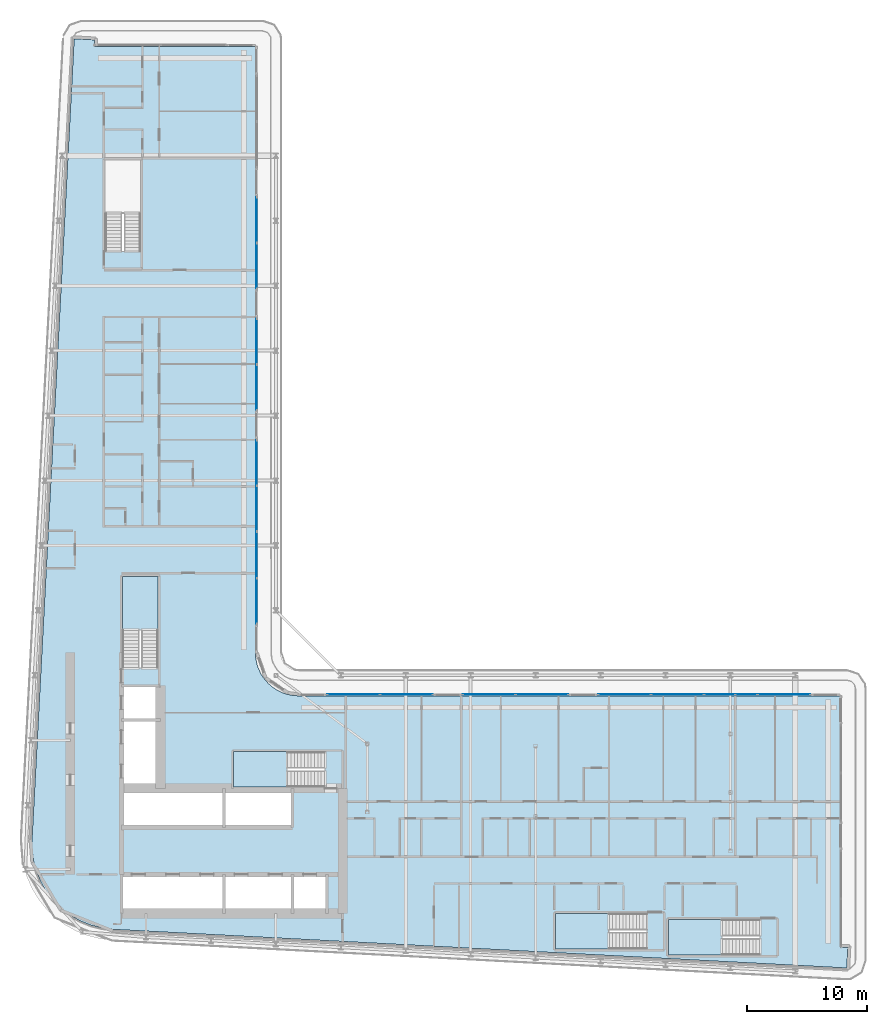
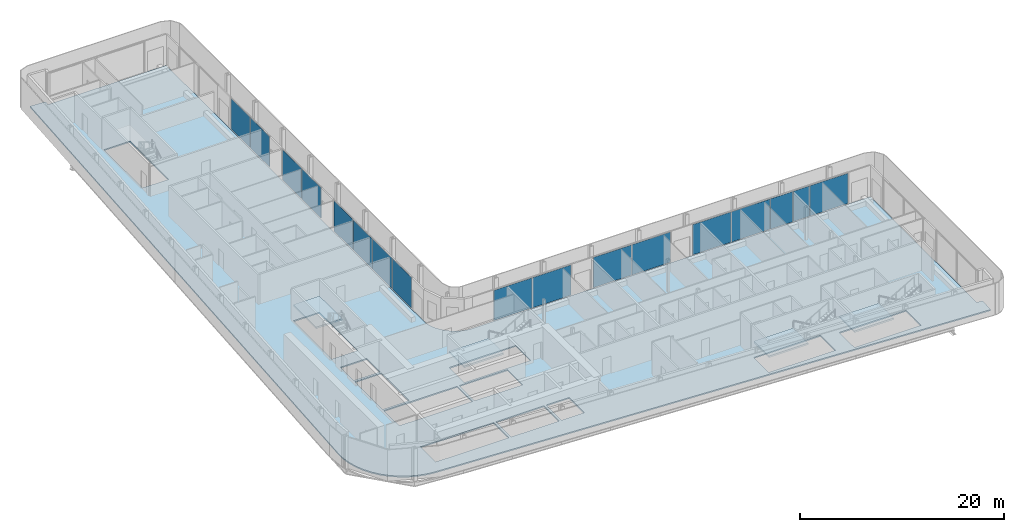
# One storey, part 12 of 29: 17 plates, 5 slabs, 12 elements without a shape of their own.
"""IFC4 building model written with IfcOpenShell, lengths in metres."""

from ifc_helpers import new_model, si_unit, direction, frame, origin, origin_2d, place, context, subcontext, project, spatial, polyline, rectangle, outline, extrude, material, layer, layer_set, type_object, element, aggregate, save


model = new_model("IFC4")

# Units and contexts
model_context = context("Model", 3, precision=1e-05, world=origin(), true_north=direction((0.0, 1.0)))
body_context = subcontext(model_context, "Body", "Model", "MODEL_VIEW")
ifc_project = project(units=[si_unit("LENGTHUNIT", "METRE"), si_unit("AREAUNIT", "SQUARE_METRE"), si_unit("VOLUMEUNIT", "CUBIC_METRE"), si_unit("PLANEANGLEUNIT", "RADIAN"), si_unit("MASSUNIT", "GRAM", prefix="KILO")], contexts=[model_context])

# Site, building, storey
site_placement = place(None, origin())
site = spatial("IfcSite", under=ifc_project, at=site_placement, CompositionType="ELEMENT")
building_placement = place(site_placement, origin())
building = spatial("IfcBuilding", under=site, at=building_placement, Name="Kheshtan School and Residences Tower", CompositionType="ELEMENT")
storey_placement = place(building_placement, frame((0.0, 0.0, 172.10009765625)))
storey = spatial("IfcBuildingStorey", under=building, at=storey_placement, Name="L40", CompositionType="ELEMENT", Elevation=172.10009765625)

# Curtain wall, plates
ifc_material_1 = material(Name="Clear low-e glass in thermally broken aluminium frame", Category="aluminium")
ifc_layer_1 = layer(ifc_material_1, 0.199951171875)
ifc_layer_set_1 = layer_set([ifc_layer_1], Name="Curtain wall CW-L")
curtain_wall_type = type_object("IfcCurtainWallType", Name="Curtain wall CW-L", PredefinedType="NOTDEFINED", material=ifc_layer_set_1)
curtain_wall_1_placement = place(storey_placement, origin())
curtain_wall_1 = element("IfcCurtainWall", 1, at=curtain_wall_1_placement, inside=storey, type_object=curtain_wall_type, Name="Curtain wall CWL8", PredefinedType="NOTDEFINED")
ifc_layer_2 = layer(ifc_material_1, 0.031982421875)
ifc_layer_set_2 = layer_set([ifc_layer_2], Name="CW-L glass panel")
plate_type = type_object("IfcPlateType", Name="CW-L glass panel", PredefinedType="CURTAIN_PANEL", material=ifc_layer_set_2)
plate_1_placement = place(storey_placement, frame((46.0, 83.467529296875, 0.0), z_axis=(0.0, 0.0, 1.0), x_axis=(0.0, -1.0, 0.0)))
plate_1 = element("IfcPlate", 2, at=plate_1_placement, type_object=plate_type, Name="CWL8 panel 1.1", PredefinedType="CURTAIN_PANEL", context=body_context, shape_type="SweptSolid", body=[
    extrude(rectangle(XDim=3.757080078125, YDim=0.031982421875, at=origin_2d()), origin(), (0.0, 0.0, 1.0), 3.6298828125),
])
plate_2_placement = place(storey_placement, frame((46.0, 79.650390625, 0.0), z_axis=(0.0, 0.0, 1.0), x_axis=(0.0, -1.0, 0.0)))
plate_2 = element("IfcPlate", 3, at=plate_2_placement, type_object=plate_type, Name="CWL8 panel 2.1", PredefinedType="CURTAIN_PANEL", context=body_context, shape_type="SweptSolid", body=[
    extrude(rectangle(XDim=3.757080078125, YDim=0.031982421875, at=origin_2d()), origin(), (0.0, 0.0, 1.0), 3.6298828125),
])
aggregate(curtain_wall_1, [plate_1, plate_2])

curtain_wall_2_placement = place(storey_placement, origin())
curtain_wall_2 = element("IfcCurtainWall", 4, at=curtain_wall_2_placement, inside=storey, type_object=curtain_wall_type, Name="Curtain wall CWL8", PredefinedType="NOTDEFINED")
plate_3_placement = place(storey_placement, frame((46.0, 73.37353515625, 0.0), z_axis=(0.0, 0.0, 1.0), x_axis=(0.0, -1.0, 0.0)))
plate_3 = element("IfcPlate", 5, at=plate_3_placement, type_object=plate_type, Name="CWL8 panel 1.1", PredefinedType="CURTAIN_PANEL", context=body_context, shape_type="SweptSolid", body=[
    extrude(rectangle(XDim=3.757080078125, YDim=0.031982421875, at=origin_2d()), origin(), (0.0, 0.0, 1.0), 3.6298828125),
])
plate_4_placement = place(storey_placement, frame((46.0, 69.556396484375, 0.0), z_axis=(0.0, 0.0, 1.0), x_axis=(0.0, -1.0, 0.0)))
plate_4 = element("IfcPlate", 6, at=plate_4_placement, type_object=plate_type, Name="CWL8 panel 2.1", PredefinedType="CURTAIN_PANEL", context=body_context, shape_type="SweptSolid", body=[
    extrude(rectangle(XDim=3.757080078125, YDim=0.031982421875, at=origin_2d()), origin(), (0.0, 0.0, 1.0), 3.6298828125),
])
aggregate(curtain_wall_2, [plate_3, plate_4])

curtain_wall_3_placement = place(storey_placement, origin())
curtain_wall_3 = element("IfcCurtainWall", 7, at=curtain_wall_3_placement, inside=storey, type_object=curtain_wall_type, Name="Curtain wall CWL8", PredefinedType="NOTDEFINED")
plate_5_placement = place(storey_placement, frame((46.0, 63.279541015625, 0.0), z_axis=(0.0, 0.0, 1.0), x_axis=(0.0, -1.0, 0.0)))
plate_5 = element("IfcPlate", 8, at=plate_5_placement, type_object=plate_type, Name="CWL8 panel 1.1", PredefinedType="CURTAIN_PANEL", context=body_context, shape_type="SweptSolid", body=[
    extrude(rectangle(XDim=3.757080078125, YDim=0.031982421875, at=origin_2d()), origin(), (0.0, 0.0, 1.0), 3.6298828125),
])
plate_6_placement = place(storey_placement, frame((46.0, 59.46240234375, 0.0), z_axis=(0.0, 0.0, 1.0), x_axis=(0.0, -1.0, 0.0)))
plate_6 = element("IfcPlate", 9, at=plate_6_placement, type_object=plate_type, Name="CWL8 panel 2.1", PredefinedType="CURTAIN_PANEL", context=body_context, shape_type="SweptSolid", body=[
    extrude(rectangle(XDim=3.757080078125, YDim=0.031982421875, at=origin_2d()), origin(), (0.0, 0.0, 1.0), 3.6298828125),
])
aggregate(curtain_wall_3, [plate_5, plate_6])

curtain_wall_4_placement = place(storey_placement, origin())
curtain_wall_4 = element("IfcCurtainWall", 10, at=curtain_wall_4_placement, inside=storey, type_object=curtain_wall_type, Name="Curtain wall CWL8", PredefinedType="NOTDEFINED")
plate_7_placement = place(storey_placement, frame((46.0, 55.615478515625, 0.0), z_axis=(0.0, 0.0, 1.0), x_axis=(0.0, -1.0, 0.0)))
plate_7 = element("IfcPlate", 11, at=plate_7_placement, type_object=plate_type, Name="CWL8 panel 1.1", PredefinedType="CURTAIN_PANEL", context=body_context, shape_type="SweptSolid", body=[
    extrude(rectangle(XDim=3.81689453125, YDim=0.031982421875, at=origin_2d()), origin(), (0.0, 0.0, 1.0), 3.6298828125),
])
plate_8_placement = place(storey_placement, frame((46.0, 51.7685546875, 0.0), z_axis=(0.0, 0.0, 1.0), x_axis=(0.0, -1.0, 0.0)))
plate_8 = element("IfcPlate", 12, at=plate_8_placement, type_object=plate_type, Name="CWL8 panel 2.1", PredefinedType="CURTAIN_PANEL", context=body_context, shape_type="SweptSolid", body=[
    extrude(rectangle(XDim=3.757080078125, YDim=0.031982421875, at=origin_2d()), origin(), (0.0, 0.0, 1.0), 3.6298828125),
])
aggregate(curtain_wall_4, [plate_7, plate_8])

curtain_wall_5_placement = place(storey_placement, origin())
curtain_wall_5 = element("IfcCurtainWall", 13, at=curtain_wall_5_placement, inside=storey, type_object=curtain_wall_type, Name="Curtain wall CWL12f", PredefinedType="NOTDEFINED")
plate_9_placement = place(storey_placement, frame((54.061767578125, 44.0, 0.0), z_axis=(0.0, 0.0, 1.0), x_axis=(1.0, 0.0, 0.0)))
plate_9 = element("IfcPlate", 14, at=plate_9_placement, type_object=plate_type, Name="CWL12f panel 1.1", PredefinedType="CURTAIN_PANEL", context=body_context, shape_type="SweptSolid", body=[
    extrude(rectangle(XDim=4.34375, YDim=0.031982421875, at=origin_2d()), origin(), (0.0, 0.0, 1.0), 3.6298828125),
])
plate_10_placement = place(storey_placement, frame((58.465576171875, 44.0, 0.0), z_axis=(0.0, 0.0, 1.0), x_axis=(1.0, 0.0, 0.0)))
plate_10 = element("IfcPlate", 15, at=plate_10_placement, type_object=plate_type, Name="CWL12f panel 2.1", PredefinedType="CURTAIN_PANEL", context=body_context, shape_type="SweptSolid", body=[
    extrude(rectangle(XDim=4.34375, YDim=0.031982421875, at=origin_2d()), origin(), (0.0, 0.0, 1.0), 3.6298828125),
])
aggregate(curtain_wall_5, [plate_9, plate_10])

curtain_wall_6_placement = place(storey_placement, origin())
curtain_wall_6 = element("IfcCurtainWall", 16, at=curtain_wall_6_placement, inside=storey, type_object=curtain_wall_type, Name="Curtain wall CWL12f", PredefinedType="NOTDEFINED")
plate_11_placement = place(storey_placement, frame((65.329345703125, 44.0, 0.0), z_axis=(0.0, 0.0, 1.0), x_axis=(1.0, 0.0, 0.0)))
plate_11 = element("IfcPlate", 17, at=plate_11_placement, type_object=plate_type, Name="CWL12f panel 1.1", PredefinedType="CURTAIN_PANEL", context=body_context, shape_type="SweptSolid", body=[
    extrude(rectangle(XDim=4.34375, YDim=0.031982421875, at=origin_2d()), origin(), (0.0, 0.0, 1.0), 3.6298828125),
])
plate_12_placement = place(storey_placement, frame((69.733154296875, 44.0, 0.0), z_axis=(0.0, 0.0, 1.0), x_axis=(1.0, 0.0, 0.0)))
plate_12 = element("IfcPlate", 18, at=plate_12_placement, type_object=plate_type, Name="CWL12f panel 2.1", PredefinedType="CURTAIN_PANEL", context=body_context, shape_type="SweptSolid", body=[
    extrude(rectangle(XDim=4.34375, YDim=0.031982421875, at=origin_2d()), origin(), (0.0, 0.0, 1.0), 3.6298828125),
])
aggregate(curtain_wall_6, [plate_11, plate_12])

curtain_wall_7_placement = place(storey_placement, origin())
curtain_wall_7 = element("IfcCurtainWall", 19, at=curtain_wall_7_placement, inside=storey, type_object=curtain_wall_type, Name="Curtain wall CWL12f", PredefinedType="NOTDEFINED")
plate_13_placement = place(storey_placement, frame((76.596923828125, 44.0, 0.0), z_axis=(0.0, 0.0, 1.0), x_axis=(1.0, 0.0, 0.0)))
plate_13 = element("IfcPlate", 20, at=plate_13_placement, type_object=plate_type, Name="CWL12f panel 1.1", PredefinedType="CURTAIN_PANEL", context=body_context, shape_type="SweptSolid", body=[
    extrude(rectangle(XDim=4.34375, YDim=0.031982421875, at=origin_2d()), origin(), (0.0, 0.0, 1.0), 3.6298828125),
])
plate_14_placement = place(storey_placement, frame((81.000732421875, 44.0, 0.0), z_axis=(0.0, 0.0, 1.0), x_axis=(1.0, 0.0, 0.0)))
plate_14 = element("IfcPlate", 21, at=plate_14_placement, type_object=plate_type, Name="CWL12f panel 2.1", PredefinedType="CURTAIN_PANEL", context=body_context, shape_type="SweptSolid", body=[
    extrude(rectangle(XDim=4.34375, YDim=0.031982421875, at=origin_2d()), origin(), (0.0, 0.0, 1.0), 3.6298828125),
])
aggregate(curtain_wall_7, [plate_13, plate_14])

curtain_wall_8_placement = place(storey_placement, origin())
curtain_wall_8 = element("IfcCurtainWall", 22, at=curtain_wall_8_placement, inside=storey, type_object=curtain_wall_type, Name="Curtain wall CWL12y", PredefinedType="NOTDEFINED")
plate_15_placement = place(storey_placement, frame((84.501220703125, 44.0, 0.0), z_axis=(0.0, 0.0, 1.0), x_axis=(1.0, 0.0, 0.0)))
plate_15 = element("IfcPlate", 23, at=plate_15_placement, type_object=plate_type, Name="CWL12y panel 1.1", PredefinedType="CURTAIN_PANEL", context=body_context, shape_type="SweptSolid", body=[
    extrude(rectangle(XDim=2.53759765625, YDim=0.031982421875, at=origin_2d()), origin(), (0.0, 0.0, 1.0), 3.6298828125),
])
plate_16_placement = place(storey_placement, frame((86.733154296875, 44.0, 0.0), z_axis=(0.0, 0.0, 1.0), x_axis=(1.0, 0.0, 0.0)))
plate_16 = element("IfcPlate", 24, at=plate_16_placement, type_object=plate_type, Name="CWL12y panel 2.1", PredefinedType="CURTAIN_PANEL", context=body_context, shape_type="SweptSolid", body=[
    extrude(rectangle(XDim=1.80615234375, YDim=0.031982421875, at=origin_2d()), origin(), (0.0, 0.0, 1.0), 3.6298828125),
])
plate_17_placement = place(storey_placement, frame((89.8681640625, 44.0, 0.0), z_axis=(0.0, 0.0, 1.0), x_axis=(1.0, 0.0, 0.0)))
plate_17 = element("IfcPlate", 25, at=plate_17_placement, type_object=plate_type, Name="CWL12y panel 3.1", PredefinedType="CURTAIN_PANEL", context=body_context, shape_type="SweptSolid", body=[
    extrude(rectangle(XDim=4.34375, YDim=0.031982421875, at=origin_2d()), origin(), (0.0, 0.0, 1.0), 3.6298828125),
])
aggregate(curtain_wall_8, [plate_15, plate_16, plate_17])

# Slab
ifc_material_2 = material(Name="Concrete C40/50", Category="concrete")
ifc_layer_3 = layer(ifc_material_2, 0.14990234375)
ifc_layer_set_3 = layer_set([ifc_layer_3], Name="Floor slab 150 Concrete C40/50")
slab_type_1 = type_object("IfcSlabType", Name="Floor slab 150 Concrete C40/50", PredefinedType="FLOOR", material=ifc_layer_set_3)
slab_1_placement = place(storey_placement, frame((0.0, 0.0, -0.150146484375)))
element("IfcSlab", 26, at=slab_1_placement, inside=storey, type_object=slab_type_1, Name="Floor slab L40", PredefinedType="FLOOR", context=body_context, shape_type="SweptSolid", body=[
    extrude(outline(polyline([(27.718017578125, 29.200927734375), (27.466064453125, 30.093017578125), (27.466064453125, 30.093994140625), (27.3330078125, 31.013916015625), (27.320068359375, 31.965087890625), (27.320068359375, 31.970947265625), (30.822021484375, 98.5009765625), (30.822998046875, 98.508056640625), (30.825927734375, 98.531005859375), (30.825927734375, 98.531982421875), (30.826904296875, 98.531982421875), (31.422119140625, 98.5), (31.423095703125, 98.5), (31.423095703125, 98.4990234375), (31.423095703125, 98.4951171875), (31.423095703125, 98.493896484375), (31.424072265625, 98.493896484375), (31.424072265625, 98.492919921875), (31.425048828125, 98.492919921875), (31.426025390625, 98.492919921875), (31.426025390625, 98.493896484375), (31.427978515625, 98.49609375), (31.428955078125, 98.4970703125), (31.429931640625, 98.498046875), (31.430908203125, 98.498046875), (31.430908203125, 98.4990234375), (31.431884765625, 98.4990234375), (31.431884765625, 98.5), (31.43505859375, 98.5009765625), (31.43603515625, 98.501953125), (31.43896484375, 98.501953125), (31.43994140625, 98.501953125), (31.43994140625, 98.5029296875), (31.44091796875, 98.5029296875), (31.446044921875, 98.5029296875), (32.5009765625, 98.447021484375), (32.50390625, 98.447021484375), (32.5048828125, 98.447021484375), (32.5048828125, 98.446044921875), (32.506103515625, 98.446044921875), (32.510009765625, 98.446044921875), (32.510009765625, 98.445068359375), (32.510986328125, 98.445068359375), (32.510986328125, 98.444091796875), (32.511962890625, 98.444091796875), (32.511962890625, 98.443115234375), (32.512939453125, 98.443115234375), (32.513916015625, 98.443115234375), (32.513916015625, 98.44189453125), (32.514892578125, 98.44189453125), (32.51611328125, 98.44189453125), (32.51904296875, 98.43896484375), (32.51904296875, 98.43798828125), (32.51904296875, 98.43701171875), (32.52001953125, 98.43701171875), (32.52001953125, 98.43603515625), (32.52099609375, 98.43603515625), (32.52099609375, 98.43408203125), (32.52099609375, 98.43310546875), (32.52197265625, 98.43310546875), (32.52197265625, 98.431884765625), (32.52294921875, 98.431884765625), (32.52294921875, 98.430908203125), (32.52294921875, 98.428955078125), (32.52294921875, 98.427978515625), (32.52392578125, 98.427978515625), (32.52392578125, 98.427001953125), (32.52392578125, 98.422119140625), (32.4970703125, 97.9208984375), (32.4970703125, 97.91796875), (32.4970703125, 97.9169921875), (32.49609375, 97.9169921875), (32.49609375, 97.916015625), (32.49609375, 97.912109375), (32.4951171875, 97.910888671875), (32.4951171875, 97.909912109375), (32.493896484375, 97.909912109375), (32.493896484375, 97.908935546875), (32.492919921875, 97.908935546875), (32.492919921875, 97.907958984375), (32.489013671875, 97.904052734375), (32.488037109375, 97.904052734375), (32.488037109375, 97.903076171875), (32.488037109375, 97.902099609375), (32.488037109375, 97.90087890625), (32.489013671875, 97.90087890625), (32.489013671875, 97.89990234375), (32.489990234375, 97.89990234375), (45.85498046875, 97.89990234375), (45.864990234375, 97.89794921875), (45.865966796875, 97.89794921875), (45.868896484375, 97.89599609375), (45.8740234375, 97.89404296875), (45.8779296875, 97.89208984375), (45.881103515625, 97.889892578125), (45.881103515625, 97.888916015625), (45.882080078125, 97.888916015625), (45.882080078125, 97.887939453125), (45.883056640625, 97.887939453125), (45.884033203125, 97.885009765625), (45.885009765625, 97.885009765625), (45.885009765625, 97.884033203125), (45.887939453125, 97.883056640625), (45.887939453125, 97.882080078125), (45.888916015625, 97.882080078125), (45.888916015625, 97.881103515625), (45.889892578125, 97.881103515625), (45.89208984375, 97.8779296875), (45.89404296875, 97.8740234375), (45.89599609375, 97.868896484375), (45.89794921875, 97.865966796875), (45.89794921875, 97.864990234375), (45.89990234375, 97.85498046875), (45.89990234375, 47.429931640625), (45.927001953125, 47.030029296875), (46.01806640625, 46.570068359375), (46.01806640625, 46.569091796875), (46.169921875, 46.1201171875), (46.37890625, 45.697021484375), (46.638916015625, 45.30810546875), (46.949951171875, 44.950927734375), (46.950927734375, 44.949951171875), (47.30810546875, 44.638916015625), (47.697021484375, 44.37890625), (48.1201171875, 44.169921875), (48.569091796875, 44.01806640625), (48.570068359375, 44.01806640625), (49.030029296875, 43.927001953125), (49.429931640625, 43.89990234375), (94.455078125, 43.89990234375), (94.4599609375, 43.89892578125), (94.465087890625, 43.89794921875), (94.466064453125, 43.89794921875), (94.468994140625, 43.89599609375), (94.47412109375, 43.89404296875), (94.47802734375, 43.89208984375), (94.48095703125, 43.889892578125), (94.48095703125, 43.888916015625), (94.48193359375, 43.888916015625), (94.48193359375, 43.887939453125), (94.48291015625, 43.887939453125), (94.48388671875, 43.885009765625), (94.485107421875, 43.885009765625), (94.485107421875, 43.884033203125), (94.488037109375, 43.883056640625), (94.488037109375, 43.882080078125), (94.489013671875, 43.882080078125), (94.489013671875, 43.881103515625), (94.489990234375, 43.881103515625), (94.491943359375, 43.8779296875), (94.493896484375, 43.8740234375), (94.49609375, 43.868896484375), (94.498046875, 43.865966796875), (94.498046875, 43.864990234375), (94.4990234375, 43.860107421875), (94.5, 43.85498046875), (94.5, 22.992919921875), (94.5, 22.991943359375), (94.5009765625, 22.991943359375), (94.5009765625, 22.990966796875), (94.501953125, 22.990966796875), (94.5029296875, 22.990966796875), (94.5029296875, 22.991943359375), (94.5048828125, 22.993896484375), (94.506103515625, 22.9951171875), (94.507080078125, 22.99609375), (94.508056640625, 22.99609375), (94.508056640625, 22.9970703125), (94.509033203125, 22.9970703125), (94.509033203125, 22.998046875), (94.511962890625, 22.9990234375), (94.512939453125, 23.0), (94.51611328125, 23.0), (94.51708984375, 23.0), (94.51708984375, 23.0009765625), (94.51806640625, 23.0009765625), (94.52294921875, 23.0009765625), (95.137939453125, 22.968017578125), (95.14111328125, 22.968017578125), (95.14208984375, 22.968017578125), (95.14208984375, 22.967041015625), (95.14306640625, 22.967041015625), (95.14697265625, 22.967041015625), (95.14697265625, 22.966064453125), (95.14794921875, 22.966064453125), (95.14794921875, 22.965087890625), (95.14892578125, 22.965087890625), (95.14892578125, 22.964111328125), (95.14990234375, 22.964111328125), (95.15087890625, 22.964111328125), (95.15087890625, 22.962890625), (95.152099609375, 22.962890625), (95.153076171875, 22.962890625), (95.153076171875, 22.9619140625), (95.155029296875, 22.9599609375), (95.156005859375, 22.9599609375), (95.156005859375, 22.958984375), (95.156005859375, 22.9580078125), (95.156982421875, 22.9580078125), (95.156982421875, 22.95703125), (95.157958984375, 22.95703125), (95.157958984375, 22.955078125), (95.157958984375, 22.9541015625), (95.158935546875, 22.9541015625), (95.158935546875, 22.952880859375), (95.159912109375, 22.952880859375), (95.159912109375, 22.951904296875), (95.159912109375, 22.949951171875), (95.159912109375, 22.948974609375), (95.160888671875, 22.948974609375), (95.160888671875, 22.947998046875), (95.160888671875, 22.943115234375), (95.10498046875, 21.885986328125), (95.10498046875, 21.883056640625), (95.10498046875, 21.882080078125), (95.10400390625, 21.882080078125), (95.10400390625, 21.881103515625), (95.10400390625, 21.876953125), (95.10302734375, 21.8759765625), (95.10302734375, 21.875), (95.10205078125, 21.875), (95.10205078125, 21.8740234375), (95.10107421875, 21.8740234375), (95.10107421875, 21.873046875), (95.10009765625, 21.8720703125), (95.097900390625, 21.8701171875), (95.096923828125, 21.868896484375), (95.095947265625, 21.868896484375), (95.095947265625, 21.867919921875), (95.095947265625, 21.866943359375), (95.095947265625, 21.865966796875), (95.096923828125, 21.865966796875), (95.096923828125, 21.864990234375), (95.097900390625, 21.864990234375), (95.09912109375, 21.864990234375), (95.10009765625, 21.864990234375), (95.10009765625, 21.864013671875), (95.068115234375, 21.26904296875), (95.068115234375, 21.26806640625), (95.06689453125, 21.26806640625), (95.04296875, 21.26708984375), (95.0380859375, 21.26708984375), (34.056884765625, 24.47802734375), (33.114990234375, 24.590087890625), (32.215087890625, 24.819091796875), (32.214111328125, 24.819091796875), (31.35205078125, 25.1630859375), (30.541015625, 25.616943359375), (29.799072265625, 26.1708984375), (29.799072265625, 26.172119140625), (29.798095703125, 26.172119140625), (29.134033203125, 26.820068359375), (29.134033203125, 26.821044921875), (29.133056640625, 26.821044921875), (28.55908203125, 27.550048828125), (28.0849609375, 28.345947265625), (27.718017578125, 29.200927734375)]), holes=[polyline([(94.5, 21.87109375), (94.5, 21.866943359375), (94.5, 21.865966796875), (94.5009765625, 21.865966796875), (94.5009765625, 21.864990234375), (94.501953125, 21.864990234375), (94.506103515625, 21.864990234375), (94.507080078125, 21.864990234375), (94.507080078125, 21.865966796875), (94.508056640625, 21.865966796875), (94.508056640625, 21.866943359375), (94.508056640625, 21.867919921875), (94.507080078125, 21.867919921875), (94.506103515625, 21.868896484375), (94.5048828125, 21.8701171875), (94.50390625, 21.87109375), (94.5029296875, 21.8720703125), (94.5029296875, 21.873046875), (94.501953125, 21.873046875), (94.5009765625, 21.873046875), (94.5009765625, 21.8720703125), (94.5, 21.8720703125), (94.5, 21.87109375)]), polyline([(31.423095703125, 97.906005859375), (31.423095703125, 97.902099609375), (31.423095703125, 97.90087890625), (31.424072265625, 97.90087890625), (31.424072265625, 97.89990234375), (31.425048828125, 97.89990234375), (31.428955078125, 97.89990234375), (31.429931640625, 97.89990234375), (31.429931640625, 97.90087890625), (31.430908203125, 97.90087890625), (31.430908203125, 97.902099609375), (31.430908203125, 97.903076171875), (31.429931640625, 97.903076171875), (31.428955078125, 97.904052734375), (31.427978515625, 97.905029296875), (31.427001953125, 97.906005859375), (31.426025390625, 97.906982421875), (31.426025390625, 97.907958984375), (31.425048828125, 97.907958984375), (31.424072265625, 97.907958984375), (31.424072265625, 97.906982421875), (31.423095703125, 97.906982421875), (31.423095703125, 97.906005859375)]), polyline([(34.875, 28.925048828125), (34.875, 25.925048828125), (43.175048828125, 25.925048828125), (43.175048828125, 28.925048828125), (34.875, 28.925048828125)]), polyline([(43.175048828125, 36.074951171875), (34.875, 36.074951171875), (34.875, 33.074951171875), (43.175048828125, 33.074951171875), (43.175048828125, 36.074951171875)]), polyline([(34.875, 41.77490234375), (34.875, 36.324951171875), (37.875, 36.324951171875), (37.875, 41.77490234375), (34.875, 41.77490234375)]), polyline([(34.875, 42.02490234375), (37.875, 42.02490234375), (37.875, 44.625), (34.875, 44.625), (34.875, 42.02490234375)]), polyline([(37.800048828125, 46.25), (37.800048828125, 53.81005859375), (34.85009765625, 53.81005859375), (34.85009765625, 46.260009765625), (36.25, 46.260009765625), (36.25, 46.25), (37.800048828125, 46.25)]), polyline([(33.39990234375, 88.4599609375), (33.39990234375, 80.909912109375), (34.800048828125, 80.909912109375), (34.800048828125, 80.89990234375), (36.35009765625, 80.89990234375), (36.35009765625, 88.4599609375), (33.39990234375, 88.4599609375)]), polyline([(87.81005859375, 22.35009765625), (87.81005859375, 23.75), (87.820068359375, 23.75), (87.820068359375, 25.300048828125), (80.260009765625, 25.300048828125), (80.260009765625, 22.35009765625), (87.81005859375, 22.35009765625)]), polyline([(70.85009765625, 22.85009765625), (78.39990234375, 22.85009765625), (78.39990234375, 24.25), (78.409912109375, 24.25), (78.409912109375, 25.800048828125), (70.85009765625, 25.800048828125), (70.85009765625, 22.85009765625)]), polyline([(43.425048828125, 25.925048828125), (48.875, 25.925048828125), (48.875, 28.925048828125), (43.425048828125, 28.925048828125), (43.425048828125, 25.925048828125)]), polyline([(49.125, 25.925048828125), (51.72509765625, 25.925048828125), (51.72509765625, 28.925048828125), (49.125, 28.925048828125), (49.125, 25.925048828125)]), polyline([(43.425048828125, 33.074951171875), (48.875, 33.074951171875), (48.875, 36.074951171875), (43.425048828125, 36.074951171875), (43.425048828125, 33.074951171875)]), polyline([(51.64990234375, 39.25), (44.090087890625, 39.25), (44.090087890625, 36.300048828125), (51.639892578125, 36.300048828125), (51.639892578125, 37.699951171875), (51.64990234375, 37.699951171875), (51.64990234375, 39.25)])]), origin(), (0.0, 0.0, 1.0), 0.150146484375),
])

# Stair, slab
stair_type = type_object("IfcStairType", Name="Exit stair, half-turn", PredefinedType="HALF_TURN_STAIR", material=ifc_material_2)
stair_1_placement = place(storey_placement, origin())
stair_1 = element("IfcStair", 27, at=stair_1_placement, inside=storey, type_object=stair_type, Name="L40 Protected Exit Stair ST1", PredefinedType="HALF_TURN_STAIR")
ifc_layer_4 = layer(ifc_material_2, 0.199951171875)
ifc_layer_set_4 = layer_set([ifc_layer_4], Name="Stair landing 200 Concrete C40/50")
slab_type_2 = type_object("IfcSlabType", Name="Stair landing 200 Concrete C40/50", PredefinedType="LANDING", material=ifc_layer_set_4)
slab_2_placement = place(storey_placement, frame((0.0, 0.0, 1.75)))
slab_2 = element("IfcSlab", 28, at=slab_2_placement, type_object=slab_type_2, Name="ST1 landing 1", PredefinedType="LANDING", context=body_context, shape_type="SweptSolid", body=[
    extrude(outline(polyline([(48.570068359375, 39.25), (44.090087890625, 39.25), (44.090087890625, 36.300048828125), (48.570068359375, 36.300048828125), (48.570068359375, 39.25)])), origin(), (0.0, 0.0, 1.0), 0.199951171875),
])
aggregate(stair_1, [slab_2])

stair_2_placement = place(storey_placement, origin())
stair_2 = element("IfcStair", 29, at=stair_2_placement, inside=storey, type_object=stair_type, Name="L40 Protected Exit Stair ST2", PredefinedType="HALF_TURN_STAIR")
slab_3_placement = place(storey_placement, frame((0.0, 0.0, 1.75)))
slab_3 = element("IfcSlab", 30, at=slab_3_placement, type_object=slab_type_2, Name="ST2 landing 1", PredefinedType="LANDING", context=body_context, shape_type="SweptSolid", body=[
    extrude(outline(polyline([(37.800048828125, 49.330078125), (37.800048828125, 53.81005859375), (34.85009765625, 53.81005859375), (34.85009765625, 49.330078125), (37.800048828125, 49.330078125)])), origin(), (0.0, 0.0, 1.0), 0.199951171875),
])
aggregate(stair_2, [slab_3])

stair_3_placement = place(storey_placement, origin())
stair_3 = element("IfcStair", 31, at=stair_3_placement, inside=storey, type_object=stair_type, Name="L40 Protected Exit Stair ST4", PredefinedType="HALF_TURN_STAIR")
slab_4_placement = place(storey_placement, frame((0.0, 0.0, 1.75)))
slab_4 = element("IfcSlab", 32, at=slab_4_placement, type_object=slab_type_2, Name="ST4 landing 1", PredefinedType="LANDING", context=body_context, shape_type="SweptSolid", body=[
    extrude(outline(polyline([(84.739990234375, 25.300048828125), (80.260009765625, 25.300048828125), (80.260009765625, 22.35009765625), (84.739990234375, 22.35009765625), (84.739990234375, 25.300048828125)])), origin(), (0.0, 0.0, 1.0), 0.199951171875),
])
aggregate(stair_3, [slab_4])

stair_4_placement = place(storey_placement, origin())
stair_4 = element("IfcStair", 33, at=stair_4_placement, inside=storey, type_object=stair_type, Name="L40 Protected Exit Stair ST5", PredefinedType="HALF_TURN_STAIR")
slab_5_placement = place(storey_placement, frame((0.0, 0.0, 1.75)))
slab_5 = element("IfcSlab", 34, at=slab_5_placement, type_object=slab_type_2, Name="ST5 landing 1", PredefinedType="LANDING", context=body_context, shape_type="SweptSolid", body=[
    extrude(outline(polyline([(75.330078125, 25.800048828125), (70.85009765625, 25.800048828125), (70.85009765625, 22.85009765625), (75.330078125, 22.85009765625), (75.330078125, 25.800048828125)])), origin(), (0.0, 0.0, 1.0), 0.199951171875),
])
aggregate(stair_4, [slab_5])

save(model, "model.ifc")
